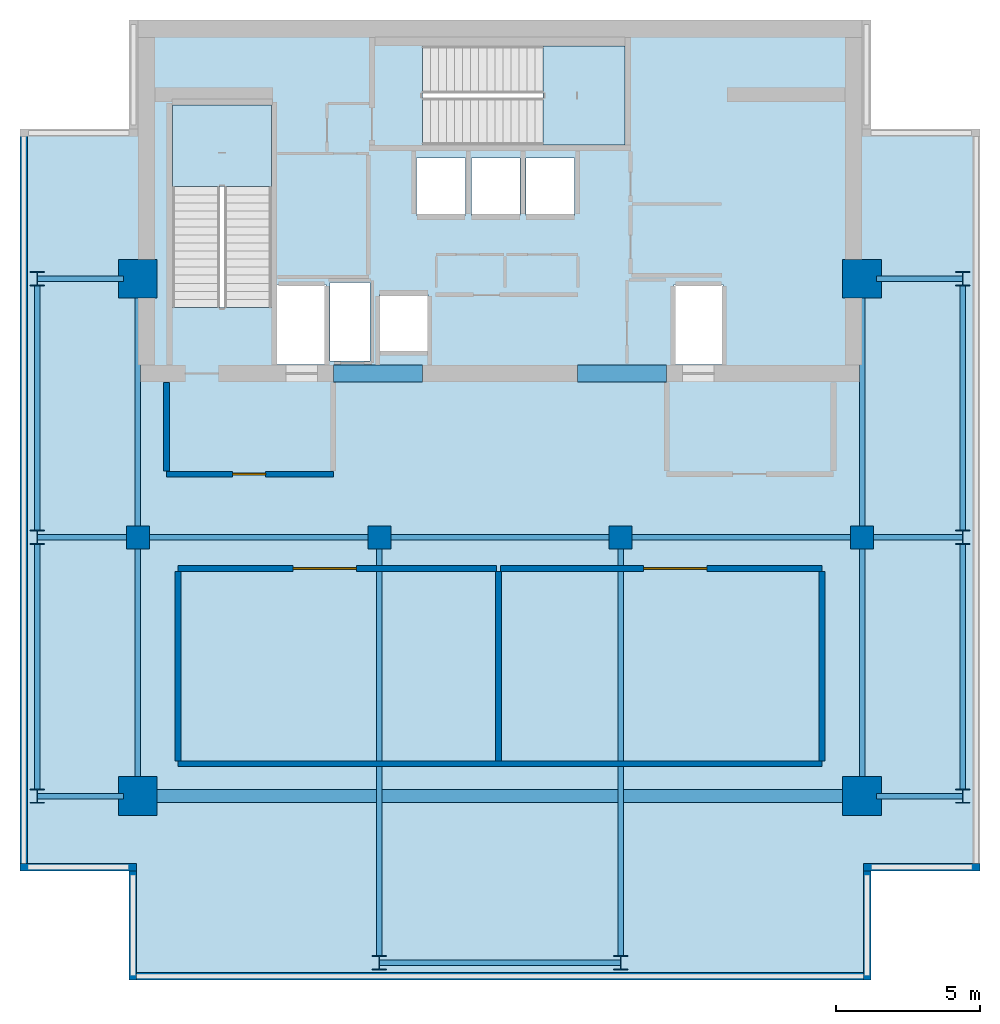
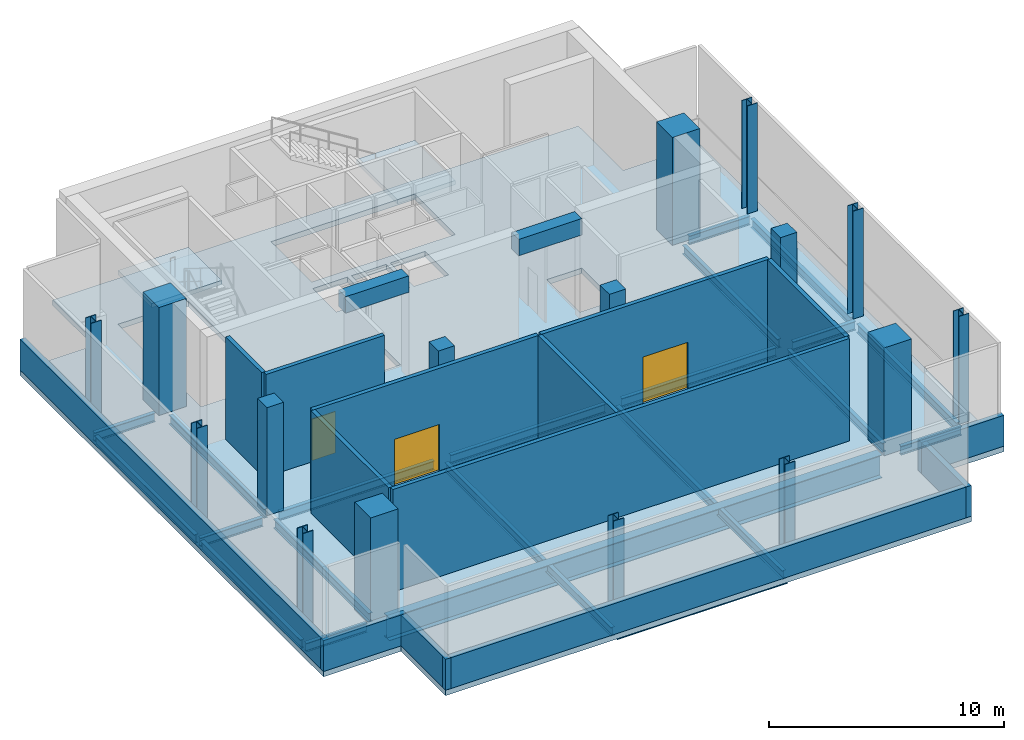
# One storey, part 1 of 6: 23 beams, 16 columns, 14 walls, 3 doors, 3 slabs, 3 openings, 2 elements without a shape of their own.
"""IFC4 building model written with IfcOpenShell, lengths in metres."""

from ifc_helpers import new_model, si_unit, direction, frame, frame_2d, origin, origin_2d, place, context, subcontext, project, spatial, polyline, rectangle, i_section, outline, extrude, material, layer, layer_set, material_profile, profile_set, type_object, element, fill, aggregate, save


model = new_model("IFC4")

# Units and contexts
model_context = context("Model", 3, precision=1e-05, world=origin(), true_north=direction((0.0, 1.0)))
body_context = subcontext(model_context, "Body", "Model", "MODEL_VIEW")
ifc_project = project(units=[si_unit("LENGTHUNIT", "METRE"), si_unit("AREAUNIT", "SQUARE_METRE"), si_unit("VOLUMEUNIT", "CUBIC_METRE"), si_unit("PLANEANGLEUNIT", "RADIAN"), si_unit("MASSUNIT", "GRAM", prefix="KILO")], contexts=[model_context])

# Site, building, storey
site_placement = place(None, origin())
site = spatial("IfcSite", under=ifc_project, at=site_placement, CompositionType="ELEMENT")
building_placement = place(site_placement, origin())
building = spatial("IfcBuilding", under=site, at=building_placement, Name="Maruvema Waterfront Hotel and Observation Tower", CompositionType="ELEMENT")
storey_placement = place(building_placement, frame((0.0, 0.0, 364.35009765625)))
storey = spatial("IfcBuildingStorey", under=building, at=storey_placement, Name="L89", CompositionType="ELEMENT", Elevation=364.35009765625)

# Columns
ifc_material_1 = material(Name="Concrete C70/85", Category="concrete")
ifc_material_profile_1 = material_profile(ifc_material_1, rectangle(XDim=1.35009765625, YDim=1.35009765625, at=origin_2d()), Name="MC1350x1350")
ifc_profile_set_1 = profile_set([ifc_material_profile_1], Name="Concrete C70/85")
column_type_1 = type_object("IfcColumnType", Name="Continuous Mega-Column MC1350x1350", PredefinedType="COLUMN", material=ifc_profile_set_1)
for number, where, z_axis, x_axis, name in (
    (1, (25.199951171875, 27.0, 0.0), (0.0, 0.0, 1.0), (1.0, 0.0, 0.0), "L89 Continuous Mega-Column MC-01"),
    (2, (50.39990234375, 27.0, 0.0), (0.0, 0.0, 1.0), (1.0, 0.0, 0.0), "L89 Continuous Mega-Column MC-02"),
    (3, (25.199951171875, 45.0, 0.0), (0.0, 0.0, 1.0), (1.0, 0.0, 0.0), "L89 Continuous Mega-Column MC-03"),
    (4, (50.39990234375, 45.0, 0.0), (0.0, 0.0, 1.0), (1.0, 0.0, 0.0), "L89 Continuous Mega-Column MC-04"),
):
    element("IfcColumn", number, at=place(storey_placement, frame(where, z_axis=z_axis, x_axis=x_axis)), inside=storey, type_object=column_type_1, Name=name, PredefinedType="COLUMN", context=body_context, shape_type="SweptSolid", body=[
        extrude(rectangle(XDim=1.35009765625, YDim=1.35009765625, at=origin_2d()), origin(), (0.0, 0.0, 1.0), 5.599853515625),
    ])
ifc_material_2 = material(Name="Concrete C60/75", Category="concrete")
ifc_material_profile_2 = material_profile(ifc_material_2, rectangle(XDim=0.800048828125, YDim=0.800048828125, at=origin_2d()), Name="RC800x800")
ifc_profile_set_2 = profile_set([ifc_material_profile_2], Name="Concrete C60/75")
column_type_2 = type_object("IfcColumnType", Name="Reinforced Concrete Column RC800x800", PredefinedType="COLUMN", material=ifc_profile_set_2)
for number, where, z_axis, x_axis, name in (
    (5, (25.199951171875, 36.0, 0.0), (0.0, 0.0, 1.0), (1.0, 0.0, 0.0), "L89 Column C-4E"),
    (6, (33.60009765625, 36.0, 0.0), (0.0, 0.0, 1.0), (1.0, 0.0, 0.0), "L89 Column C-5E"),
    (7, (42.0, 36.0, 0.0), (0.0, 0.0, 1.0), (1.0, 0.0, 0.0), "L89 Column C-6E"),
    (8, (50.39990234375, 36.0, 0.0), (0.0, 0.0, 1.0), (1.0, 0.0, 0.0), "L89 Column C-7E"),
):
    element("IfcColumn", number, at=place(storey_placement, frame(where, z_axis=z_axis, x_axis=x_axis)), inside=storey, type_object=column_type_2, Name=name, PredefinedType="COLUMN", context=body_context, shape_type="SweptSolid", body=[
        extrude(rectangle(XDim=0.800048828125, YDim=0.800048828125, at=origin_2d()), origin(), (0.0, 0.0, 1.0), 5.599853515625),
    ])
ifc_material_3 = material(Name="Steel ABNT NBR 7007 AR 415 (ASTM A572 Grade 50)", Category="steel")
ifc_material_profile_3 = material_profile(ifc_material_3, i_section(OverallWidth=0.5, OverallDepth=0.5, WebThickness=0.02197265625, FlangeThickness=0.031982421875, at=origin_2d()), Name="CVS500x223")
ifc_profile_set_3 = profile_set([ifc_material_profile_3], Name="Steel ABNT NBR 7007 AR 415 (ASTM A572 Grade 50)")
column_type_3 = type_object("IfcColumnType", Name="Structural Steel Column CVS500x223", PredefinedType="COLUMN", material=ifc_profile_set_3)
for number, where, z_axis, x_axis, name in (
    (9, (21.699951171875, 27.0, 0.0), (0.0, 0.0, 1.0), (1.0, 0.0, 0.0), "L89 Column C-CRW27"),
    (10, (53.89990234375, 27.0, 0.0), (0.0, 0.0, 1.0), (1.0, 0.0, 0.0), "L89 Column C-CRE27"),
    (11, (21.699951171875, 36.0, 0.0), (0.0, 0.0, 1.0), (1.0, 0.0, 0.0), "L89 Column C-CRW36"),
    (12, (53.89990234375, 36.0, 0.0), (0.0, 0.0, 1.0), (1.0, 0.0, 0.0), "L89 Column C-CRE36"),
    (13, (21.699951171875, 45.0, 0.0), (0.0, 0.0, 1.0), (1.0, 0.0, 0.0), "L89 Column C-CRW45"),
    (14, (53.89990234375, 45.0, 0.0), (0.0, 0.0, 1.0), (1.0, 0.0, 0.0), "L89 Column C-CRE45"),
    (15, (33.60009765625, 21.199951171875, 0.0), (0.0, 0.0, 1.0), (1.0, 0.0, 0.0), "L89 Column C-CRS5"),
    (16, (42.0, 21.199951171875, 0.0), (0.0, 0.0, 1.0), (1.0, 0.0, 0.0), "L89 Column C-CRS6"),
):
    element("IfcColumn", number, at=place(storey_placement, frame(where, z_axis=z_axis, x_axis=x_axis)), inside=storey, type_object=column_type_3, Name=name, PredefinedType="COLUMN", context=body_context, shape_type="SweptSolid", body=[
        extrude(i_section(OverallWidth=0.5, OverallDepth=0.5, WebThickness=0.02197265625, FlangeThickness=0.031982421875, at=origin_2d()), origin(), (0.0, 0.0, 1.0), 5.599853515625),
    ])

# Beams
ifc_material_4 = material(Name="Concrete C60/75", Category="concrete")
ifc_material_profile_4 = material_profile(ifc_material_4, rectangle(XDim=0.60009765625, YDim=0.85009765625, at=origin_2d()), Name="CB600x850")
ifc_profile_set_4 = profile_set([ifc_material_profile_4], Name="Concrete C60/75")
beam_type_1 = type_object("IfcBeamType", Name="Core Coupling Lintel Beam CB600x850", PredefinedType="LINTEL", material=ifc_profile_set_4)
for number, where, z_axis, x_axis, name in (
    (17, (32.0, 41.699951171875, 4.89501953125), (1.0, 0.0, 0.0), (0.0, 1.0, 0.0), "L89 Core Coupling Lintel Beam West"),
    (18, (40.5, 41.699951171875, 4.89501953125), (1.0, 0.0, 0.0), (0.0, 1.0, 0.0), "L89 Core Coupling Lintel Beam East"),
):
    element("IfcBeam", number, at=place(storey_placement, frame(where, z_axis=z_axis, x_axis=x_axis)), inside=storey, type_object=beam_type_1, Name=name, PredefinedType="LINTEL", context=body_context, shape_type="SweptSolid", body=[
        extrude(rectangle(XDim=0.60009765625, YDim=0.85009765625, at=origin_2d()), origin(), (0.0, 0.0, 1.0), 3.10009765625),
    ])
ifc_material_5 = material(Name="Steel ASTM A572 Grade 50", Category="steel")
ifc_material_profile_5 = material_profile(ifc_material_5, i_section(OverallWidth=0.19189453125, OverallDepth=0.462890625, WebThickness=0.010498046875, FlangeThickness=0.017578125, FilletRadius=0.014892578125, at=origin_2d()), Name="W460x89.0")
ifc_profile_set_5 = profile_set([ifc_material_profile_5], Name="Steel ASTM A572 Grade 50")
beam_type_2 = type_object("IfcBeamType", Name="Primary Floor Girder W460x89.0", PredefinedType="BEAM", material=ifc_profile_set_5)
beam_1_placement = place(storey_placement, frame((33.611083984375, 21.199951171875, -0.51171875), z_axis=(1.0, 0.0, 0.0), x_axis=(0.0, 1.0, 0.0)))
element("IfcBeam", 19, at=beam_1_placement, inside=storey, type_object=beam_type_2, Name="L89 Floor Girder EW-01", PredefinedType="BEAM", context=body_context, shape_type="SweptSolid", body=[
    extrude(i_section(OverallWidth=0.19189453125, OverallDepth=0.462890625, WebThickness=0.010498046875, FlangeThickness=0.017578125, FilletRadius=0.014892578125, at=origin_2d()), origin(), (0.0, 0.0, 1.0), 8.3779296875),
])
for number, where, z_axis, x_axis, name in (
    (20, (21.7109375, 27.0, -0.51171875), (1.0, 0.0, 0.0), (0.0, 1.0, 0.0), "L89 Floor Girder EW-02"),
    (21, (50.89990234375, 27.0, -0.51171875), (1.0, 0.0, 0.0), (0.0, 1.0, 0.0), "L89 Floor Girder EW-04"),
):
    element("IfcBeam", number, at=place(storey_placement, frame(where, z_axis=z_axis, x_axis=x_axis)), inside=storey, type_object=beam_type_2, Name=name, PredefinedType="BEAM", context=body_context, shape_type="SweptSolid", body=[
        extrude(i_section(OverallWidth=0.19189453125, OverallDepth=0.462890625, WebThickness=0.010498046875, FlangeThickness=0.017578125, FilletRadius=0.014892578125, at=origin_2d()), origin(), (0.0, 0.0, 1.0), 2.989013671875),
    ])
beam_2_placement = place(storey_placement, frame((21.7109375, 36.0, -0.51171875), z_axis=(1.0, 0.0, 0.0), x_axis=(0.0, 1.0, 0.0)))
element("IfcBeam", 22, at=beam_2_placement, inside=storey, type_object=beam_type_2, Name="L89 Floor Girder EW-05", PredefinedType="BEAM", context=body_context, shape_type="SweptSolid", body=[
    extrude(i_section(OverallWidth=0.19189453125, OverallDepth=0.462890625, WebThickness=0.010498046875, FlangeThickness=0.017578125, FilletRadius=0.014892578125, at=origin_2d()), origin(), (0.0, 0.0, 1.0), 3.089111328125),
])
beam_3_placement = place(storey_placement, frame((25.60009765625, 36.0, -0.51171875), z_axis=(1.0, 0.0, 0.0), x_axis=(0.0, 1.0, 0.0)))
element("IfcBeam", 23, at=beam_3_placement, inside=storey, type_object=beam_type_2, Name="L89 Floor Girder EW-06", PredefinedType="BEAM", context=body_context, shape_type="SweptSolid", body=[
    extrude(i_section(OverallWidth=0.19189453125, OverallDepth=0.462890625, WebThickness=0.010498046875, FlangeThickness=0.017578125, FilletRadius=0.014892578125, at=origin_2d()), origin(), (0.0, 0.0, 1.0), 7.599853515625),
])
for number, where, z_axis, x_axis, name in (
    (24, (34.0, 36.0, -0.51171875), (1.0, 0.0, 0.0), (0.0, 1.0, 0.0), "L89 Floor Girder EW-07"),
    (25, (42.39990234375, 36.0, -0.51171875), (1.0, 0.0, 0.0), (0.0, 1.0, 0.0), "L89 Floor Girder EW-08"),
):
    element("IfcBeam", number, at=place(storey_placement, frame(where, z_axis=z_axis, x_axis=x_axis)), inside=storey, type_object=beam_type_2, Name=name, PredefinedType="BEAM", context=body_context, shape_type="SweptSolid", body=[
        extrude(i_section(OverallWidth=0.19189453125, OverallDepth=0.462890625, WebThickness=0.010498046875, FlangeThickness=0.017578125, FilletRadius=0.014892578125, at=origin_2d()), origin(), (0.0, 0.0, 1.0), 7.60009765625),
    ])
beam_4_placement = place(storey_placement, frame((50.800048828125, 36.0, -0.51171875), z_axis=(1.0, 0.0, 0.0), x_axis=(0.0, 1.0, 0.0)))
element("IfcBeam", 26, at=beam_4_placement, inside=storey, type_object=beam_type_2, Name="L89 Floor Girder EW-09", PredefinedType="BEAM", context=body_context, shape_type="SweptSolid", body=[
    extrude(i_section(OverallWidth=0.19189453125, OverallDepth=0.462890625, WebThickness=0.010498046875, FlangeThickness=0.017578125, FilletRadius=0.014892578125, at=origin_2d()), origin(), (0.0, 0.0, 1.0), 3.0888671875),
])
for number, where, z_axis, x_axis, name in (
    (27, (21.7109375, 45.0, -0.51171875), (1.0, 0.0, 0.0), (0.0, 1.0, 0.0), "L89 Floor Girder EW-10"),
    (28, (50.89990234375, 45.0, -0.51171875), (1.0, 0.0, 0.0), (0.0, 1.0, 0.0), "L89 Floor Girder EW-11"),
):
    element("IfcBeam", number, at=place(storey_placement, frame(where, z_axis=z_axis, x_axis=x_axis)), inside=storey, type_object=beam_type_2, Name=name, PredefinedType="BEAM", context=body_context, shape_type="SweptSolid", body=[
        extrude(i_section(OverallWidth=0.19189453125, OverallDepth=0.462890625, WebThickness=0.010498046875, FlangeThickness=0.017578125, FilletRadius=0.014892578125, at=origin_2d()), origin(), (0.0, 0.0, 1.0), 2.989013671875),
    ])
for number, where, z_axis, x_axis, name in (
    (29, (21.699951171875, 27.25, -0.51171875), (0.0, 1.0, 0.0), (-1.0, 0.0, 0.0), "L89 Floor Girder NS-01"),
    (30, (21.699951171875, 36.25, -0.51171875), (0.0, 1.0, 0.0), (-1.0, 0.0, 0.0), "L89 Floor Girder NS-02"),
):
    element("IfcBeam", number, at=place(storey_placement, frame(where, z_axis=z_axis, x_axis=x_axis)), inside=storey, type_object=beam_type_2, Name=name, PredefinedType="BEAM", context=body_context, shape_type="SweptSolid", body=[
        extrude(i_section(OverallWidth=0.19189453125, OverallDepth=0.462890625, WebThickness=0.010498046875, FlangeThickness=0.017578125, FilletRadius=0.014892578125, at=origin_2d()), origin(), (0.0, 0.0, 1.0), 8.5),
    ])
for number, where, z_axis, x_axis, name in (
    (31, (25.199951171875, 27.5, -0.51171875), (0.0, 1.0, 0.0), (-1.0, 0.0, 0.0), "L89 Floor Girder NS-03"),
    (32, (25.199951171875, 36.39990234375, -0.51171875), (0.0, 1.0, 0.0), (-1.0, 0.0, 0.0), "L89 Floor Girder NS-04"),
):
    element("IfcBeam", number, at=place(storey_placement, frame(where, z_axis=z_axis, x_axis=x_axis)), inside=storey, type_object=beam_type_2, Name=name, PredefinedType="BEAM", context=body_context, shape_type="SweptSolid", body=[
        extrude(i_section(OverallWidth=0.19189453125, OverallDepth=0.462890625, WebThickness=0.010498046875, FlangeThickness=0.017578125, FilletRadius=0.014892578125, at=origin_2d()), origin(), (0.0, 0.0, 1.0), 8.10009765625),
    ])
for number, where, z_axis, x_axis, name in (
    (33, (33.60009765625, 21.449951171875, -0.51171875), (0.0, 1.0, 0.0), (-1.0, 0.0, 0.0), "L89 Floor Girder NS-05"),
    (34, (42.0, 21.449951171875, -0.51171875), (0.0, 1.0, 0.0), (-1.0, 0.0, 0.0), "L89 Floor Girder NS-06"),
):
    element("IfcBeam", number, at=place(storey_placement, frame(where, z_axis=z_axis, x_axis=x_axis)), inside=storey, type_object=beam_type_2, Name=name, PredefinedType="BEAM", context=body_context, shape_type="SweptSolid", body=[
        extrude(i_section(OverallWidth=0.19189453125, OverallDepth=0.462890625, WebThickness=0.010498046875, FlangeThickness=0.017578125, FilletRadius=0.014892578125, at=origin_2d()), origin(), (0.0, 0.0, 1.0), 14.150146484375),
    ])
for number, where, z_axis, x_axis, name in (
    (35, (50.39990234375, 27.5, -0.51171875), (0.0, 1.0, 0.0), (-1.0, 0.0, 0.0), "L89 Floor Girder NS-07"),
    (36, (50.39990234375, 36.39990234375, -0.51171875), (0.0, 1.0, 0.0), (-1.0, 0.0, 0.0), "L89 Floor Girder NS-08"),
):
    element("IfcBeam", number, at=place(storey_placement, frame(where, z_axis=z_axis, x_axis=x_axis)), inside=storey, type_object=beam_type_2, Name=name, PredefinedType="BEAM", context=body_context, shape_type="SweptSolid", body=[
        extrude(i_section(OverallWidth=0.19189453125, OverallDepth=0.462890625, WebThickness=0.010498046875, FlangeThickness=0.017578125, FilletRadius=0.014892578125, at=origin_2d()), origin(), (0.0, 0.0, 1.0), 8.10009765625),
    ])
for number, where, z_axis, x_axis, name in (
    (37, (53.89990234375, 27.25, -0.51171875), (0.0, 1.0, 0.0), (-1.0, 0.0, 0.0), "L89 Floor Girder NS-09"),
    (38, (53.89990234375, 36.25, -0.51171875), (0.0, 1.0, 0.0), (-1.0, 0.0, 0.0), "L89 Floor Girder NS-10"),
):
    element("IfcBeam", number, at=place(storey_placement, frame(where, z_axis=z_axis, x_axis=x_axis)), inside=storey, type_object=beam_type_2, Name=name, PredefinedType="BEAM", context=body_context, shape_type="SweptSolid", body=[
        extrude(i_section(OverallWidth=0.19189453125, OverallDepth=0.462890625, WebThickness=0.010498046875, FlangeThickness=0.017578125, FilletRadius=0.014892578125, at=origin_2d()), origin(), (0.0, 0.0, 1.0), 8.5),
    ])
ifc_material_6 = material(Name="Steel ABNT NBR 7007 AR 415 (ASTM A572 Grade 50)", Category="steel")
ifc_material_profile_6 = material_profile(ifc_material_6, i_section(OverallWidth=0.449951171875, OverallDepth=1.199951171875, WebThickness=0.01904296875, FlangeThickness=0.031982421875, at=origin_2d()), Name="VS1200x366")
ifc_profile_set_6 = profile_set([ifc_material_profile_6], Name="Steel ABNT NBR 7007 AR 415 (ASTM A572 Grade 50)")
beam_type_3 = type_object("IfcBeamType", Name="Upper Setback Transfer Girder VS1200x366", PredefinedType="USERDEFINED", material=ifc_profile_set_6)
beam_5_placement = place(storey_placement, frame((25.699951171875, 27.0, -0.880126953125), z_axis=(1.0, 0.0, 0.0), x_axis=(0.0, 1.0, 0.0)))
element("IfcBeam", 39, at=beam_5_placement, inside=storey, type_object=beam_type_3, Name="L89 Floor Girder EW-03", ObjectType="TRANSFER GIRDER", PredefinedType="USERDEFINED", context=body_context, shape_type="SweptSolid", body=[
    extrude(i_section(OverallWidth=0.449951171875, OverallDepth=1.199951171875, WebThickness=0.01904296875, FlangeThickness=0.031982421875, at=origin_2d()), origin(), (0.0, 0.0, 1.0), 24.199951171875),
])

# Slab
ifc_material_7 = material(Name="Concrete C50/60", Category="concrete")
ifc_layer_1 = layer(ifc_material_7, 0.280029296875, Name="Reinforced Concrete Floor Slab 280 mm")
ifc_layer_set_1 = layer_set([ifc_layer_1], Name="Concrete C50/60")
slab_type_1 = type_object("IfcSlabType", Name="Reinforced Concrete Floor Slab 280 mm", PredefinedType="FLOOR", material=ifc_layer_set_1)
slab_1_placement = place(storey_placement, frame((0.0, 0.0, -0.280029296875)))
element("IfcSlab", 40, at=slab_1_placement, inside=storey, type_object=slab_type_1, Name="L89 Structural Floor Slab", PredefinedType="FLOOR", context=body_context, shape_type="SweptSolid", body=[
    extrude(outline(polyline([(24.89990234375, 20.60009765625), (50.699951171875, 20.60009765625), (50.699951171875, 24.39990234375), (54.5, 24.39990234375), (54.5, 50.199951171875), (50.699951171875, 50.199951171875), (50.699951171875, 54.0), (24.89990234375, 54.0), (24.89990234375, 50.199951171875), (21.10009765625, 50.199951171875), (21.10009765625, 24.39990234375), (24.89990234375, 24.39990234375), (24.89990234375, 20.60009765625)]), holes=[polyline([(29.85009765625, 44.00048828125), (26.39990234375, 44.00048828125), (26.39990234375, 51.050048828125), (29.85009765625, 51.050048828125), (29.85009765625, 44.00048828125)]), polyline([(30.050048828125, 42.02001953125), (30.050048828125, 44.800048828125), (31.75, 44.800048828125), (31.75, 42.02001953125), (30.050048828125, 42.02001953125)]), polyline([(31.8798828125, 42.139892578125), (31.8798828125, 44.860107421875), (33.280029296875, 44.860107421875), (33.280029296875, 42.139892578125), (31.8798828125, 42.139892578125)]), polyline([(33.60009765625, 42.449951171875), (33.60009765625, 44.449951171875), (35.300048828125, 44.449951171875), (35.300048828125, 42.449951171875), (33.60009765625, 42.449951171875)]), polyline([(34.89990234375, 47.199951171875), (34.89990234375, 49.199951171875), (36.60009765625, 49.199951171875), (36.60009765625, 47.199951171875), (34.89990234375, 47.199951171875)]), polyline([(36.800048828125, 47.199951171875), (36.800048828125, 49.199951171875), (38.5, 49.199951171875), (38.5, 47.199951171875), (36.800048828125, 47.199951171875)]), polyline([(35.1005859375, 53.10009765625), (42.14990234375, 53.10009765625), (42.14990234375, 49.64990234375), (35.1005859375, 49.64990234375), (35.1005859375, 53.10009765625)]), polyline([(38.699951171875, 49.199951171875), (40.39990234375, 49.199951171875), (40.39990234375, 47.199951171875), (38.699951171875, 47.199951171875), (38.699951171875, 49.199951171875)]), polyline([(43.85009765625, 42.02001953125), (43.85009765625, 44.800048828125), (45.550048828125, 44.800048828125), (45.550048828125, 42.02001953125), (43.85009765625, 42.02001953125)])]), origin(), (0.0, 0.0, 1.0), 0.280029296875),
])

# Stair, slab
ifc_material_8 = material(Name="Concrete C50/60", Category="concrete")
stair_type = type_object("IfcStairType", Name="Dogleg Exit Stair 1650 mm (32R x 175.0 mm)", PredefinedType="HALF_TURN_STAIR", material=ifc_material_8)
stair_1_placement = place(storey_placement, origin())
stair_1 = element("IfcStair", 41, at=stair_1_placement, inside=storey, type_object=stair_type, Name="L89 ST-01", PredefinedType="HALF_TURN_STAIR")
ifc_material_9 = material(Name="Concrete C50/60", Category="concrete")
ifc_layer_2 = layer(ifc_material_9, 0.219970703125, Name="Stair Concrete Landing Slab 220 mm")
ifc_layer_set_2 = layer_set([ifc_layer_2], Name="Concrete C50/60")
slab_type_2 = type_object("IfcSlabType", Name="Stair Concrete Landing Slab 220 mm", PredefinedType="LANDING", material=ifc_layer_set_2)
slab_2_placement = place(storey_placement, frame((0.0, 0.0, 2.579833984375)))
slab_2 = element("IfcSlab", 42, at=slab_2_placement, type_object=slab_type_2, Name="ST-01 landing 1", PredefinedType="LANDING", context=body_context, shape_type="SweptSolid", body=[
    extrude(outline(polyline([(29.85009765625, 48.199951171875), (29.85009765625, 51.050048828125), (26.39990234375, 51.050048828125), (26.39990234375, 48.199951171875), (29.85009765625, 48.199951171875)])), origin(), (0.0, 0.0, 1.0), 0.219970703125),
])
aggregate(stair_1, [slab_2])

stair_2_placement = place(storey_placement, origin())
stair_2 = element("IfcStair", 43, at=stair_2_placement, inside=storey, type_object=stair_type, Name="L89 ST-02", PredefinedType="HALF_TURN_STAIR")
slab_3_placement = place(storey_placement, frame((0.0, 0.0, 2.579833984375)))
slab_3 = element("IfcSlab", 44, at=slab_3_placement, type_object=slab_type_2, Name="ST-02 landing 1", PredefinedType="LANDING", context=body_context, shape_type="SweptSolid", body=[
    extrude(outline(polyline([(39.300048828125, 49.64990234375), (42.14990234375, 49.64990234375), (42.14990234375, 53.10009765625), (39.300048828125, 53.10009765625), (39.300048828125, 49.64990234375)])), origin(), (0.0, 0.0, 1.0), 0.219970703125),
])
aggregate(stair_2, [slab_3])

# Walls
ifc_material_10 = material(Name="Precast concrete C45/55 with honed Pernambuco granite facing", Category="masonry")
ifc_layer_3 = layer(ifc_material_10, 0.260009765625, Name="Exterior Granite Clad Spandrel and Pier Wall 260 mm")
ifc_layer_set_3 = layer_set([ifc_layer_3], Name="Precast concrete C45/55 with honed Pernambuco granite facing")
wall_type_1 = type_object("IfcWallType", Name="Exterior Granite Clad Spandrel and Pier Wall 260 mm", PredefinedType="SOLIDWALL", material=ifc_layer_set_3)
wall_1_placement = place(storey_placement, frame((24.89990234375, 20.72998046875, 0.0), z_axis=(0.0, 0.0, 1.0), x_axis=(1.0, 0.0, 0.0)))
element("IfcWall", 45, at=wall_1_placement, inside=storey, type_object=wall_type_1, Name="L89 Mechanical Perimeter Spandrel Wall 01", PredefinedType="SOLIDWALL", context=body_context, shape_type="SweptSolid", body=[
    extrude(rectangle(XDim=25.800048828125, YDim=0.260009765625, at=frame_2d((12.89990234375, 0.0))), origin(), (0.0, 0.0, 1.0), 1.599853515625),
])
wall_2_placement = place(storey_placement, frame((50.570068359375, 20.60009765625, 0.0), z_axis=(0.0, 0.0, 1.0), x_axis=(0.0, 1.0, 0.0)))
element("IfcWall", 46, at=wall_2_placement, inside=storey, type_object=wall_type_1, Name="L89 Mechanical Perimeter Spandrel Wall 02", PredefinedType="SOLIDWALL", context=body_context, shape_type="SweptSolid", body=[
    extrude(rectangle(XDim=3.7998046875, YDim=0.260009765625, at=frame_2d((1.89990234375, 0.0))), origin(), (0.0, 0.0, 1.0), 1.599853515625),
])
wall_3_placement = place(storey_placement, frame((50.43994140625, 24.530029296875, 0.0), z_axis=(0.0, 0.0, 1.0), x_axis=(1.0, 0.0, 0.0)))
element("IfcWall", 47, at=wall_3_placement, inside=storey, type_object=wall_type_1, Name="L89 Mechanical Perimeter Spandrel Wall 03", PredefinedType="SOLIDWALL", context=body_context, shape_type="SweptSolid", body=[
    extrude(rectangle(XDim=4.06005859375, YDim=0.260009765625, at=frame_2d((2.030029296875, 0.0))), origin(), (0.0, 0.0, 1.0), 1.599853515625),
])
wall_4_placement = place(storey_placement, frame((21.22998046875, 50.199951171875, 0.0), z_axis=(0.0, 0.0, 1.0), x_axis=(0.0, -1.0, 0.0)))
element("IfcWall", 48, at=wall_4_placement, inside=storey, type_object=wall_type_1, Name="L89 Mechanical Perimeter Spandrel Wall 10", PredefinedType="SOLIDWALL", context=body_context, shape_type="SweptSolid", body=[
    extrude(rectangle(XDim=25.800048828125, YDim=0.260009765625, at=frame_2d((12.89990234375, 0.0))), origin(), (0.0, 0.0, 1.0), 1.599853515625),
])
wall_5_placement = place(storey_placement, frame((21.10009765625, 24.530029296875, 0.0), z_axis=(0.0, 0.0, 1.0), x_axis=(1.0, 0.0, 0.0)))
element("IfcWall", 49, at=wall_5_placement, inside=storey, type_object=wall_type_1, Name="L89 Mechanical Perimeter Spandrel Wall 11", PredefinedType="SOLIDWALL", context=body_context, shape_type="SweptSolid", body=[
    extrude(rectangle(XDim=4.059814453125, YDim=0.260009765625, at=frame_2d((2.02978515625, 0.0))), origin(), (0.0, 0.0, 1.0), 1.599853515625),
])
wall_6_placement = place(storey_placement, frame((25.030029296875, 24.39990234375, 0.0), z_axis=(0.0, 0.0, 1.0), x_axis=(0.0, -1.0, 0.0)))
element("IfcWall", 50, at=wall_6_placement, inside=storey, type_object=wall_type_1, Name="L89 Mechanical Perimeter Spandrel Wall 12", PredefinedType="SOLIDWALL", context=body_context, shape_type="SweptSolid", body=[
    extrude(rectangle(XDim=3.7998046875, YDim=0.260009765625, at=frame_2d((1.89990234375, 0.0))), origin(), (0.0, 0.0, 1.0), 1.599853515625),
])

# Wall, opening, door
ifc_material_11 = material(Name="Autoclaved cellular concrete blockwork", Category="masonry")
ifc_layer_4 = layer(ifc_material_11, 0.199951171875, Name="Fire Compartment Masonry Wall 200 mm")
ifc_layer_set_4 = layer_set([ifc_layer_4], Name="Autoclaved cellular concrete blockwork")
wall_type_2 = type_object("IfcWallType", Name="Fire Compartment Masonry Wall 200 mm", PredefinedType="PARTITIONING", material=ifc_layer_set_4)
wall_7_placement = place(storey_placement, frame((26.199951171875, 38.199951171875, 0.0), z_axis=(0.0, 0.0, 1.0), x_axis=(1.0, 0.0, 0.0)))
wall_7 = element("IfcWall", 51, at=wall_7_placement, inside=storey, type_object=wall_type_2, Name="L89 FFL West South Wall 001", PredefinedType="PARTITIONING", context=body_context, shape_type="SweptSolid", body=[
    extrude(rectangle(XDim=5.800048828125, YDim=0.199951171875, at=frame_2d((2.89990234375, 0.0))), origin(), (0.0, 0.0, 1.0), 5.31982421875),
])
opening_1_placement = place(wall_7_placement, frame((2.300048828125, 0.0, 0.0)))
opening_1 = element("IfcOpeningElement", 52, at=opening_1_placement, cuts=wall_7, Name="Opening FD-115", PredefinedType="OPENING", context=body_context, shape_type="SweptSolid", body=[
    extrude(rectangle(XDim=1.14990234375, YDim=2.14990234375, at=frame_2d((0.574951171875, 1.074951171875))), frame((0.0, 0.10986328125, 0.0), z_axis=(0.0, -1.0, 0.0), x_axis=(1.0, 0.0, 0.0)), (0.0, 0.0, 1.0), 0.219970703125),
])
ifc_material_12 = material(Name="Fire-rated galvanised steel and vision glass", Category="steel")
door_type_1 = type_object("IfcDoorType", Name="Firefighting Lobby Fire Door 1150x2150 mm", OperationType="NOTDEFINED", PredefinedType="DOOR", material=ifc_material_12)
door_1_placement = place(opening_1_placement, frame((1.14990234375, 0.0, 0.0), z_axis=(0.0, 0.0, 1.0), x_axis=(-1.0, 0.0, 0.0)))
door_1 = element("IfcDoor", 53, at=door_1_placement, inside=storey, type_object=door_type_1, Name="L89 Firefighting Lobby West Door", OperationType="SINGLE_SWING_LEFT", OverallHeight=2.14990234375, OverallWidth=1.14990234375, PredefinedType="DOOR", context=body_context, shape_type="SweptSolid", body=[
    extrude(rectangle(XDim=1.14990234375, YDim=2.14990234375, at=frame_2d((0.574951171875, 1.074951171875))), frame((0.0, 0.02490234375, 0.0), z_axis=(0.0, -1.0, 0.0), x_axis=(1.0, 0.0, 0.0)), (0.0, 0.0, 1.0), 0.050048828125),
])
fill(opening_1, door_1)

# Wall
wall_8_placement = place(storey_placement, frame((26.199951171875, 38.31005859375, 0.0), z_axis=(0.0, 0.0, 1.0), x_axis=(0.0, 1.0, 0.0)))
element("IfcWall", 54, at=wall_8_placement, inside=storey, type_object=wall_type_2, Name="L89 FFL West West Wall 002", PredefinedType="PARTITIONING", context=body_context, shape_type="SweptSolid", body=[
    extrude(rectangle(XDim=3.06982421875, YDim=0.199951171875, at=frame_2d((1.534912109375, 0.0))), origin(), (0.0, 0.0, 1.0), 5.31982421875),
])

# Wall, opening, door
wall_9_placement = place(storey_placement, frame((26.60009765625, 34.919921875, 0.0), z_axis=(0.0, 0.0, 1.0), x_axis=(1.0, 0.0, 0.0)))
wall_9 = element("IfcWall", 55, at=wall_9_placement, inside=storey, type_object=wall_type_2, Name="L89 L89 Plant W North 027", PredefinedType="PARTITIONING", context=body_context, shape_type="SweptSolid", body=[
    extrude(rectangle(XDim=11.079833984375, YDim=0.199951171875, at=frame_2d((5.5400390625, 0.0))), origin(), (0.0, 0.0, 1.0), 5.31982421875),
])
opening_2_placement = place(wall_9_placement, frame((4.0, 0.0, 0.0)))
opening_2 = element("IfcOpeningElement", 56, at=opening_2_placement, cuts=wall_9, Name="Opening DG-03", PredefinedType="OPENING", context=body_context, shape_type="SweptSolid", body=[
    extrude(rectangle(XDim=2.199951171875, YDim=2.39990234375, at=frame_2d((1.10009765625, 1.199951171875))), frame((0.0, 0.10986328125, 0.0), z_axis=(0.0, -1.0, 0.0), x_axis=(1.0, 0.0, 0.0)), (0.0, 0.0, 1.0), 0.219970703125),
])
ifc_material_13 = material(Name="Powder-coated galvanised steel", Category="steel")
door_type_2 = type_object("IfcDoorType", Name="Plant Room Double Equipment Gate 2200x2400 mm", OperationType="DOUBLE_DOOR_SINGLE_SWING", PredefinedType="GATE", material=ifc_material_13)
door_2_placement = place(opening_2_placement, origin())
door_2 = element("IfcDoor", 57, at=door_2_placement, inside=storey, type_object=door_type_2, Name="L89 Crown Chiller Plant Room Gate", OperationType="DOUBLE_DOOR_SINGLE_SWING", OverallHeight=2.39990234375, OverallWidth=2.199951171875, PredefinedType="GATE", context=body_context, shape_type="SweptSolid", body=[
    extrude(rectangle(XDim=2.199951171875, YDim=2.39990234375, at=frame_2d((1.10009765625, 1.199951171875))), frame((0.0, 0.02490234375, 0.0), z_axis=(0.0, -1.0, 0.0), x_axis=(1.0, 0.0, 0.0)), (0.0, 0.0, 1.0), 0.050048828125),
])
fill(opening_2, door_2)

wall_10_placement = place(storey_placement, frame((37.820068359375, 34.919921875, 0.0), z_axis=(0.0, 0.0, 1.0), x_axis=(1.0, 0.0, 0.0)))
wall_10 = element("IfcWall", 58, at=wall_10_placement, inside=storey, type_object=wall_type_2, Name="L89 L89 Plant E North 028", PredefinedType="PARTITIONING", context=body_context, shape_type="SweptSolid", body=[
    extrude(rectangle(XDim=11.179931640625, YDim=0.199951171875, at=frame_2d((5.58984375, 0.0))), origin(), (0.0, 0.0, 1.0), 5.31982421875),
])
opening_3_placement = place(wall_10_placement, frame((4.97998046875, 0.0, 0.0)))
opening_3 = element("IfcOpeningElement", 59, at=opening_3_placement, cuts=wall_10, Name="Opening DG-03", PredefinedType="OPENING", context=body_context, shape_type="SweptSolid", body=[
    extrude(rectangle(XDim=2.199951171875, YDim=2.39990234375, at=frame_2d((1.10009765625, 1.199951171875))), frame((0.0, 0.10986328125, 0.0), z_axis=(0.0, -1.0, 0.0), x_axis=(1.0, 0.0, 0.0)), (0.0, 0.0, 1.0), 0.219970703125),
])
door_3_placement = place(opening_3_placement, origin())
door_3 = element("IfcDoor", 60, at=door_3_placement, inside=storey, type_object=door_type_2, Name="L89 Crown Switchgear Gate", OperationType="DOUBLE_DOOR_SINGLE_SWING", OverallHeight=2.39990234375, OverallWidth=2.199951171875, PredefinedType="GATE", context=body_context, shape_type="SweptSolid", body=[
    extrude(rectangle(XDim=2.199951171875, YDim=2.39990234375, at=frame_2d((1.10009765625, 1.199951171875))), frame((0.0, 0.02490234375, 0.0), z_axis=(0.0, -1.0, 0.0), x_axis=(1.0, 0.0, 0.0)), (0.0, 0.0, 1.0), 0.050048828125),
])
fill(opening_3, door_3)

# Walls
wall_11_placement = place(storey_placement, frame((26.60009765625, 28.1201171875, 0.0), z_axis=(0.0, 0.0, 1.0), x_axis=(1.0, 0.0, 0.0)))
element("IfcWall", 61, at=wall_11_placement, inside=storey, type_object=wall_type_2, Name="L89 L89 Plant South 029", PredefinedType="PARTITIONING", context=body_context, shape_type="SweptSolid", body=[
    extrude(rectangle(XDim=22.39990234375, YDim=0.199951171875, at=frame_2d((11.199951171875, 0.0))), origin(), (0.0, 0.0, 1.0), 5.31982421875),
])
for number, where, z_axis, x_axis, name in (
    (62, (26.60009765625, 28.219970703125, 0.0), (0.0, 0.0, 1.0), (0.0, 1.0, 0.0), "L89 L89 Plant West 030"),
    (63, (37.75, 28.219970703125, 0.0), (0.0, 0.0, 1.0), (0.0, 1.0, 0.0), "L89 L89 Plant Split 031"),
    (64, (49.0, 28.219970703125, 0.0), (0.0, 0.0, 1.0), (0.0, 1.0, 0.0), "L89 L89 Plant East 032"),
):
    element("IfcWall", number, at=place(storey_placement, frame(where, z_axis=z_axis, x_axis=x_axis)), inside=storey, type_object=wall_type_2, Name=name, PredefinedType="PARTITIONING", context=body_context, shape_type="SweptSolid", body=[
        extrude(rectangle(XDim=6.60009765625, YDim=0.199951171875, at=frame_2d((3.300048828125, 0.0))), origin(), (0.0, 0.0, 1.0), 5.31982421875),
    ])

save(model, "model.ifc")
